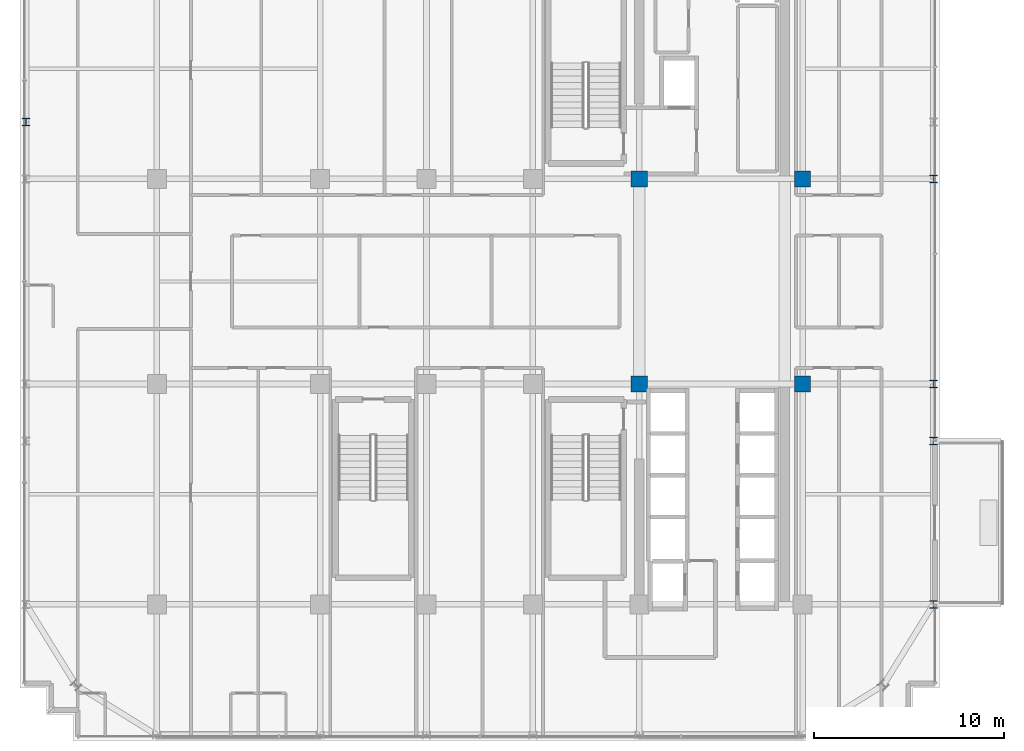
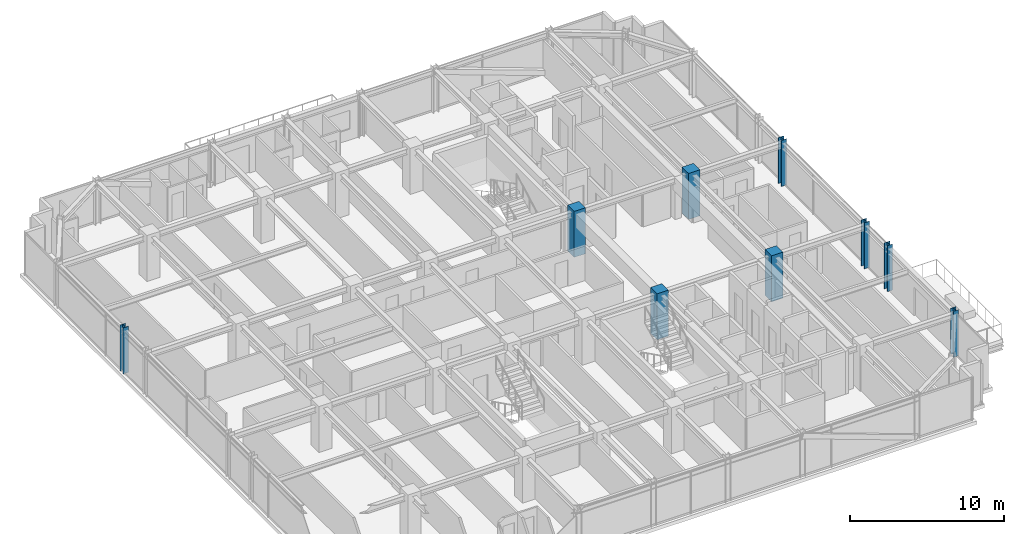
# One storey, part 2 of 43: 9 columns.
"""IFC4 building model written with IfcOpenShell, lengths in metres."""

from ifc_helpers import new_model, si_unit, direction, frame, origin, origin_2d, place, context, subcontext, project, spatial, rectangle, i_section, extrude, source, transform, mapped, material, material_profile, profile_set, type_object, element, save


model = new_model("IFC4")

# Units and contexts
model_context = context("Model", 3, precision=1e-05, world=origin(), true_north=direction((0.0, 1.0)))
body_context = subcontext(model_context, "Body", "Model", "MODEL_VIEW")
ifc_project = project(units=[si_unit("LENGTHUNIT", "METRE"), si_unit("AREAUNIT", "SQUARE_METRE"), si_unit("VOLUMEUNIT", "CUBIC_METRE"), si_unit("PLANEANGLEUNIT", "RADIAN"), si_unit("MASSUNIT", "GRAM", prefix="KILO")], contexts=[model_context])

# Site, building, storey
site_placement = place(None, origin())
site = spatial("IfcSite", under=ifc_project, at=site_placement, CompositionType="ELEMENT")
building_placement = place(site_placement, origin())
building = spatial("IfcBuilding", under=site, at=building_placement, Name="Nahalor Promenade Grand Hotel", CompositionType="ELEMENT")
storey_placement = place(building_placement, frame((0.0, 0.0, 204.89990234375)))
storey = spatial("IfcBuildingStorey", under=building, at=storey_placement, Name="L52", CompositionType="ELEMENT", Elevation=204.89990234375)

# Columns
ifc_material_1 = material(Name="Concrete B-70 (C60/75)", Category="concrete")
ifc_material_profile_1 = material_profile(ifc_material_1, rectangle(XDim=0.85, YDim=0.85, at=origin_2d()), Name="RC 850x850")
ifc_profile_set_1 = profile_set([ifc_material_profile_1], Name="Concrete B-70 (C60/75)")
column_type_1 = type_object("IfcColumnType", Name="Col-Pilaster-850", PredefinedType="PILASTER", material=ifc_profile_set_1)
shared_shape_1 = source(origin(), body_context, "Body", "SweptSolid", [
    extrude(rectangle(XDim=0.85, YDim=0.85, at=origin_2d()), origin(), (0.0, 0.0, 1.0), 3.655029296875),
])
for number, where, z_axis, x_axis, name in (
    (1, (8.39990234375, -5.39990234375, 0.0), (0.0, 0.0, 1.0), (1.0, 0.0, 0.0), "COL-L52-I41"),
    (2, (8.39990234375, 5.39990234375, 0.0), (0.0, 0.0, 1.0), (1.0, 0.0, 0.0), "COL-L52-I42"),
    (3, (17.0, -5.39990234375, 0.0), (0.0, 0.0, 1.0), (1.0, 0.0, 0.0), "COL-L52-I51"),
    (4, (17.0, 5.39990234375, 0.0), (0.0, 0.0, 1.0), (1.0, 0.0, 0.0), "COL-L52-I52"),
):
    element("IfcColumn", number, at=place(storey_placement, frame(where, z_axis=z_axis, x_axis=x_axis)), inside=storey, type_object=column_type_1, Name=name, PredefinedType="PILASTER", context=body_context, shape_type="MappedRepresentation", body=[
        mapped(shared_shape_1, transform((0.0, 0.0, 0.0), scale=1.0)),
    ])
ifc_material_2 = material(Name="Steel S355JR", Category="steel")
ifc_material_profile_2 = material_profile(ifc_material_2, i_section(OverallWidth=0.401, OverallDepth=0.406, WebThickness=0.0161, FlangeThickness=0.025, at=origin_2d()), Name="HD 400x314")
ifc_profile_set_2 = profile_set([ifc_material_profile_2], Name="Steel S355JR")
column_type_2 = type_object("IfcColumnType", Name="Col-Steel-HD314", PredefinedType="COLUMN", material=ifc_profile_set_2)
shared_shape_2 = source(origin(), body_context, "Body", "SweptSolid", [
    extrude(i_section(OverallWidth=0.401, OverallDepth=0.406, WebThickness=0.0161, FlangeThickness=0.025, at=origin_2d()), origin(), (0.0, 0.0, 1.0), 3.655029296875),
])
for number, where, z_axis, x_axis, name in (
    (5, (23.8798828125, -17.0, 0.0), (0.0, 0.0, 1.0), (1.0, 0.0, 0.0), "COL-L52-PW-E0"),
    (6, (23.8798828125, -8.39990234375, 0.0), (0.0, 0.0, 1.0), (1.0, 0.0, 0.0), "COL-L52-PW-E1"),
    (7, (23.8798828125, -5.39990234375, 0.0), (0.0, 0.0, 1.0), (1.0, 0.0, 0.0), "COL-L52-PW-E2"),
    (8, (23.8798828125, 5.39990234375, 0.0), (0.0, 0.0, 1.0), (1.0, 0.0, 0.0), "COL-L52-PW-E3"),
    (9, (-23.8798828125, 8.39990234375, 0.0), (0.0, 0.0, 1.0), (1.0, 0.0, 0.0), "COL-L52-PW-W4"),
):
    element("IfcColumn", number, at=place(storey_placement, frame(where, z_axis=z_axis, x_axis=x_axis)), inside=storey, type_object=column_type_2, Name=name, PredefinedType="COLUMN", context=body_context, shape_type="MappedRepresentation", body=[
        mapped(shared_shape_2, transform((0.0, 0.0, 0.0), scale=1.0)),
    ])

save(model, "model.ifc")
